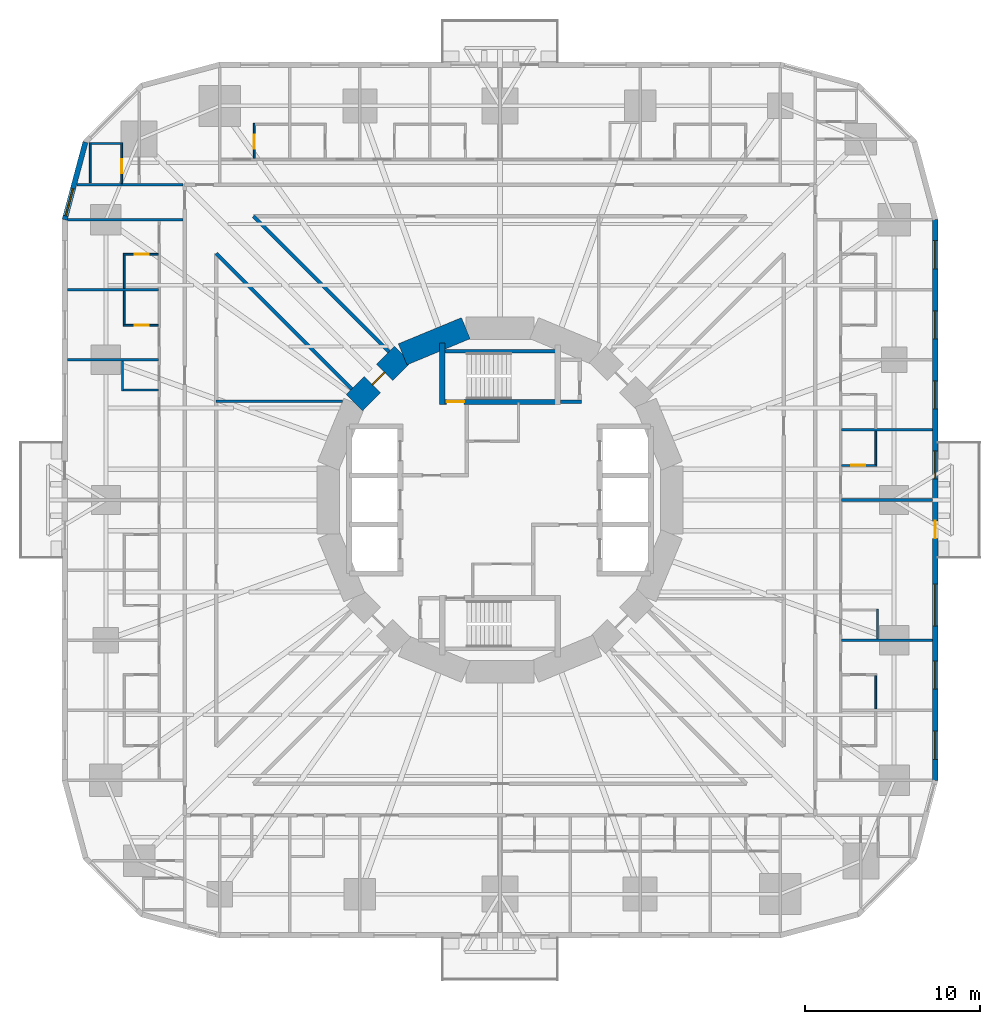
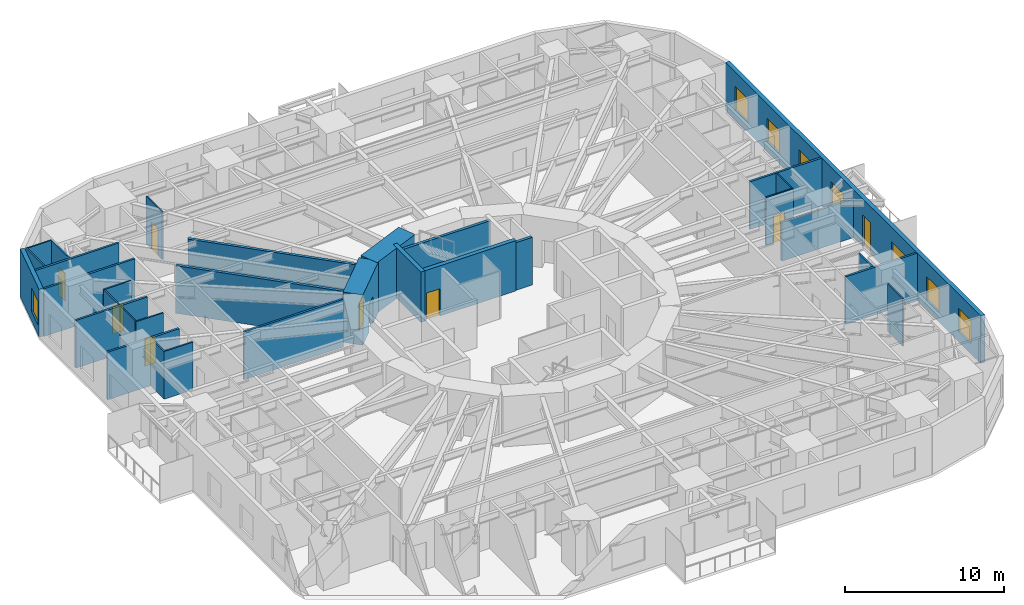
# One storey, part 9 of 14: 32 walls, 8 doors, 8 windows, 16 openings.
"""IFC4 building model written with IfcOpenShell, lengths in metres."""

from ifc_helpers import new_model, si_unit, direction, frame, frame_2d, origin, place, context, subcontext, project, spatial, rectangle, extrude, material, layer, layer_set, type_object, element, fill, save


model = new_model("IFC4")

# Units and contexts
model_context = context("Model", 3, precision=1e-05, world=origin(), true_north=direction((0.0, 1.0)))
body_context = subcontext(model_context, "Body", "Model", "MODEL_VIEW")
ifc_project = project(units=[si_unit("LENGTHUNIT", "METRE"), si_unit("AREAUNIT", "SQUARE_METRE"), si_unit("VOLUMEUNIT", "CUBIC_METRE"), si_unit("PLANEANGLEUNIT", "RADIAN"), si_unit("MASSUNIT", "GRAM", prefix="KILO")], contexts=[model_context])

# Site, building, storey
site_placement = place(None, origin())
site = spatial("IfcSite", under=ifc_project, at=site_placement, CompositionType="ELEMENT")
building_placement = place(site_placement, origin())
building = spatial("IfcBuilding", under=site, at=building_placement, Name="Nakasero Lantern House", CompositionType="ELEMENT")
storey_placement = place(building_placement, frame((0.0, 0.0, 39.10009765625)))
storey = spatial("IfcBuildingStorey", under=building, at=storey_placement, Name="L09", CompositionType="ELEMENT", Elevation=39.10009765625)

# Wall, opening, door
ifc_material_1 = material(Name="Concrete C50/60", Category="concrete")
ifc_layer_1 = layer(ifc_material_1, 0.300048828125)
ifc_layer_set_1 = layer_set([ifc_layer_1], Name="Core inner wall 300")
wall_type_1 = type_object("IfcWallType", Name="Core inner wall 300", PredefinedType="SHEAR", material=ifc_layer_set_1)
wall_1_placement = place(storey_placement, frame((-3.449951171875, 5.60009765625, 0.0), z_axis=(0.0, 0.0, 1.0), x_axis=(1.0, 0.0, 0.0)))
wall_1 = element("IfcWall", 1, at=wall_1_placement, inside=storey, type_object=wall_type_1, Name="Core inner wall L09 SN", PredefinedType="SHEAR", context=body_context, shape_type="SweptSolid", body=[
    extrude(rectangle(XDim=6.89990234375, YDim=0.300048828125, at=frame_2d((3.449951171875, 0.0))), origin(), (0.0, 0.0, 1.0), 3.849853515625),
])
opening_1_placement = place(wall_1_placement, frame((0.39990234375, 0.0, 0.0)))
opening_1 = element("IfcOpeningElement", 2, at=opening_1_placement, cuts=wall_1, Name="Opening D05", PredefinedType="OPENING", context=body_context, shape_type="SweptSolid", body=[
    extrude(rectangle(XDim=1.0, YDim=2.10009765625, at=frame_2d((0.5, 1.050048828125))), frame((0.0, 0.169921875, 0.0), z_axis=(0.0, -1.0, 0.0), x_axis=(1.0, 0.0, 0.0)), (0.0, 0.0, 1.0), 0.340087890625),
])
ifc_material_2 = material(Name="Timber C24", Category="wood")
door_type_1 = type_object("IfcDoorType", Name="Core door FD60S 1000", OperationType="SINGLE_SWING_LEFT", PredefinedType="DOOR", material=ifc_material_2)
door_1_placement = place(opening_1_placement, origin())
door_1 = element("IfcDoor", 3, at=door_1_placement, inside=storey, type_object=door_type_1, Name="Door L09 D-ST1", OperationType="SINGLE_SWING_LEFT", OverallHeight=2.10009765625, OverallWidth=1.0, PredefinedType="DOOR", context=body_context, shape_type="SweptSolid", body=[
    extrude(rectangle(XDim=1.0, YDim=2.10009765625, at=frame_2d((0.5, 1.050048828125))), frame((0.0, 0.02490234375, 0.0), z_axis=(0.0, -1.0, 0.0), x_axis=(1.0, 0.0, 0.0)), (0.0, 0.0, 1.0), 0.050048828125),
])
fill(opening_1, door_1)

# Walls
wall_2_placement = place(storey_placement, frame((-3.300048828125, 5.449951171875, 0.0), z_axis=(0.0, 0.0, 1.0), x_axis=(0.0, 1.0, 0.0)))
element("IfcWall", 4, at=wall_2_placement, inside=storey, type_object=wall_type_1, Name="Core inner wall L09 SNW", PredefinedType="SHEAR", context=body_context, shape_type="SweptSolid", body=[
    extrude(rectangle(XDim=3.5, YDim=0.300048828125, at=frame_2d((1.75, 0.0))), origin(), (0.0, 0.0, 1.0), 3.849853515625),
])
ifc_material_3 = material(Name="Concrete C50/60", Category="concrete")
ifc_layer_2 = layer(ifc_material_3, 1.300048828125)
ifc_layer_set_2 = layer_set([ifc_layer_2], Name="Core wall 1300")
wall_type_2 = type_object("IfcWallType", Name="Core wall 1300", PredefinedType="SHEAR", material=ifc_layer_set_2)
wall_3_placement = place(storey_placement, frame((-1.950927734375, 9.807861328125, 0.0), z_axis=(0.0, 0.0, 1.0), x_axis=(-0.923876507187, -0.382690736062, 0.0)))
element("IfcWall", 5, at=wall_3_placement, inside=storey, type_object=wall_type_2, Name="Core wall L09 facet 5", PredefinedType="SHEAR", context=body_context, shape_type="SweptSolid", body=[
    extrude(rectangle(XDim=3.90185546875, YDim=1.300048828125, at=frame_2d((1.950927734375, 0.0))), origin(), (0.0, 0.0, 1.0), 3.849853515625),
])

# Wall, opening, door
wall_4_placement = place(storey_placement, frame((-5.5556640625, 8.314697265625, 0.0), z_axis=(0.0, 0.0, 1.0), x_axis=(-0.707106781187, -0.707106781187, 0.0)))
wall_4 = element("IfcWall", 6, at=wall_4_placement, inside=storey, type_object=wall_type_2, Name="Core wall L09 facet 6", PredefinedType="SHEAR", context=body_context, shape_type="SweptSolid", body=[
    extrude(rectangle(XDim=3.90185546875, YDim=1.300048828125, at=frame_2d((1.950927734375, 0.0))), origin(), (0.0, 0.0, 1.0), 3.849853515625),
])
opening_2_placement = place(wall_4_placement, frame((1.450927734375, 0.0, 0.0)))
opening_2 = element("IfcOpeningElement", 7, at=opening_2_placement, cuts=wall_4, Name="Opening D05", PredefinedType="OPENING", context=body_context, shape_type="SweptSolid", body=[
    extrude(rectangle(XDim=1.0, YDim=2.10009765625, at=frame_2d((0.5, 1.050048828125))), frame((0.0, 0.669921875, 0.0), z_axis=(0.0, -1.0, 0.0), x_axis=(1.0, 0.0, 0.0)), (0.0, 0.0, 1.0), 1.340087890625),
])
door_2_placement = place(opening_2_placement, origin())
door_2 = element("IfcDoor", 8, at=door_2_placement, inside=storey, type_object=door_type_1, Name="Door L09 D-CORE06", OperationType="SINGLE_SWING_LEFT", OverallHeight=2.10009765625, OverallWidth=1.0, PredefinedType="DOOR", context=body_context, shape_type="SweptSolid", body=[
    extrude(rectangle(XDim=1.0, YDim=2.10009765625, at=frame_2d((0.5, 1.050048828125))), frame((0.0, 0.02490234375, 0.0), z_axis=(0.0, -1.0, 0.0), x_axis=(1.0, 0.0, 0.0)), (0.0, 0.0, 1.0), 0.050048828125),
])
fill(opening_2, door_2)

# Walls
ifc_material_4 = material(Name="Blockwork", Category="masonry")
ifc_layer_3 = layer(ifc_material_4, 0.199951171875)
ifc_layer_set_3 = layer_set([ifc_layer_3], Name="Corridor wall 200")
wall_type_3 = type_object("IfcWallType", Name="Corridor wall 200", PredefinedType="PARTITIONING", material=ifc_layer_set_3)
for number, where, z_axis, x_axis, name in (
    (9, (-8.45556640625, 6.334228515625, 0.0), (0.0, 0.0, 1.0), (-0.707106781187, 0.707106781187, 0.0), "Corridor wall L09 PS06a"),
    (10, (-6.334228515625, 8.45556640625, 0.0), (0.0, 0.0, 1.0), (-0.707106781187, 0.707106781187, 0.0), "Corridor wall L09 PS06b"),
):
    element("IfcWall", number, at=place(storey_placement, frame(where, z_axis=z_axis, x_axis=x_axis)), inside=storey, type_object=wall_type_3, Name=name, PredefinedType="PARTITIONING", context=body_context, shape_type="SweptSolid", body=[
        extrude(rectangle(XDim=10.9521484375, YDim=0.199951171875, at=frame_2d((5.47607421875, 0.0))), origin(), (0.0, 0.0, 1.0), 3.64990234375),
    ])
ifc_material_5 = material(Name="Blockwork", Category="masonry")
ifc_layer_4 = layer(ifc_material_5, 0.10009765625)
ifc_layer_set_4 = layer_set([ifc_layer_4], Name="En-suite wall 100")
wall_type_4 = type_object("IfcWallType", Name="En-suite wall 100", PredefinedType="PARTITIONING", material=ifc_layer_set_4)
wall_5_placement = place(storey_placement, frame((21.550048828125, -7.925048828125, 0.0), z_axis=(0.0, 0.0, 1.0), x_axis=(0.0, 1.0, 0.0)))
element("IfcWall", 11, at=wall_5_placement, inside=storey, type_object=wall_type_4, Name="En-suite wall L09 SE0-0", PredefinedType="PARTITIONING", context=body_context, shape_type="SweptSolid", body=[
    extrude(rectangle(XDim=1.699951171875, YDim=0.10009765625, at=frame_2d((0.85009765625, 0.0))), origin(), (0.0, 0.0, 1.0), 3.64990234375),
])
wall_6_placement = place(storey_placement, frame((21.449951171875, -11.925048828125, 0.0), z_axis=(0.0, 0.0, 1.0), x_axis=(0.0, 1.0, 0.0)))
element("IfcWall", 12, at=wall_6_placement, inside=storey, type_object=wall_type_4, Name="En-suite wall L09 EE0-02", PredefinedType="PARTITIONING", context=body_context, shape_type="SweptSolid", body=[
    extrude(rectangle(XDim=1.900146484375, YDim=0.10009765625, at=frame_2d((0.9501953125, 0.0))), origin(), (0.0, 0.0, 1.0), 3.64990234375),
])

# Wall, opening, door
wall_7_placement = place(storey_placement, frame((19.5, 1.97509765625, 0.0), z_axis=(0.0, 0.0, 1.0), x_axis=(1.0, 0.0, 0.0)))
wall_7 = element("IfcWall", 13, at=wall_7_placement, inside=storey, type_object=wall_type_4, Name="En-suite wall L09 ES0-05", PredefinedType="PARTITIONING", context=body_context, shape_type="SweptSolid", body=[
    extrude(rectangle(XDim=2.0, YDim=0.10009765625, at=frame_2d((1.0, 0.0))), origin(), (0.0, 0.0, 1.0), 3.64990234375),
])
opening_3_placement = place(wall_7_placement, frame((0.550048828125, 0.0, 0.0)))
opening_3 = element("IfcOpeningElement", 14, at=opening_3_placement, cuts=wall_7, Name="Opening D02", PredefinedType="OPENING", context=body_context, shape_type="SweptSolid", body=[
    extrude(rectangle(XDim=0.800048828125, YDim=2.10009765625, at=frame_2d((0.39990234375, 1.050048828125))), frame((0.0, 0.070068359375, 0.0), z_axis=(0.0, -1.0, 0.0), x_axis=(1.0, 0.0, 0.0)), (0.0, 0.0, 1.0), 0.14013671875),
])
ifc_material_6 = material(Name="Timber C24", Category="wood")
door_type_2 = type_object("IfcDoorType", Name="En-suite door 800", OperationType="SINGLE_SWING_RIGHT", PredefinedType="DOOR", material=ifc_material_6)
door_3_placement = place(opening_3_placement, origin())
door_3 = element("IfcDoor", 15, at=door_3_placement, inside=storey, type_object=door_type_2, Name="Door L09 DE0-05", OperationType="SINGLE_SWING_LEFT", OverallHeight=2.10009765625, OverallWidth=0.800048828125, PredefinedType="DOOR", context=body_context, shape_type="SweptSolid", body=[
    extrude(rectangle(XDim=0.800048828125, YDim=2.10009765625, at=frame_2d((0.39990234375, 1.050048828125))), frame((0.0, 0.02490234375, 0.0), z_axis=(0.0, -1.0, 0.0), x_axis=(1.0, 0.0, 0.0)), (0.0, 0.0, 1.0), 0.050048828125),
])
fill(opening_3, door_3)

# Wall
wall_8_placement = place(storey_placement, frame((21.449951171875, 2.02490234375, 0.0), z_axis=(0.0, 0.0, 1.0), x_axis=(0.0, 1.0, 0.0)))
element("IfcWall", 16, at=wall_8_placement, inside=storey, type_object=wall_type_4, Name="En-suite wall L09 EE0-05", PredefinedType="PARTITIONING", context=body_context, shape_type="SweptSolid", body=[
    extrude(rectangle(XDim=1.900146484375, YDim=0.10009765625, at=frame_2d((0.9501953125, 0.0))), origin(), (0.0, 0.0, 1.0), 3.64990234375),
])

# Wall, opening, door
wall_9_placement = place(storey_placement, frame((-14.02490234375, 19.5, 0.0), z_axis=(0.0, 0.0, 1.0), x_axis=(0.0, 1.0, 0.0)))
wall_9 = element("IfcWall", 17, at=wall_9_placement, inside=storey, type_object=wall_type_4, Name="En-suite wall L09 ES1-08", PredefinedType="PARTITIONING", context=body_context, shape_type="SweptSolid", body=[
    extrude(rectangle(XDim=2.0, YDim=0.10009765625, at=frame_2d((1.0, 0.0))), origin(), (0.0, 0.0, 1.0), 3.64990234375),
])
opening_4_placement = place(wall_9_placement, frame((0.550048828125, 0.0, 0.0)))
opening_4 = element("IfcOpeningElement", 18, at=opening_4_placement, cuts=wall_9, Name="Opening D02", PredefinedType="OPENING", context=body_context, shape_type="SweptSolid", body=[
    extrude(rectangle(XDim=0.800048828125, YDim=2.10009765625, at=frame_2d((0.39990234375, 1.050048828125))), frame((0.0, 0.070068359375, 0.0), z_axis=(0.0, -1.0, 0.0), x_axis=(1.0, 0.0, 0.0)), (0.0, 0.0, 1.0), 0.14013671875),
])
door_4_placement = place(opening_4_placement, origin())
door_4 = element("IfcDoor", 19, at=door_4_placement, inside=storey, type_object=door_type_2, Name="Door L09 DE1-08", OperationType="SINGLE_SWING_LEFT", OverallHeight=2.10009765625, OverallWidth=0.800048828125, PredefinedType="DOOR", context=body_context, shape_type="SweptSolid", body=[
    extrude(rectangle(XDim=0.800048828125, YDim=2.10009765625, at=frame_2d((0.39990234375, 1.050048828125))), frame((0.0, 0.02490234375, 0.0), z_axis=(0.0, -1.0, 0.0), x_axis=(1.0, 0.0, 0.0)), (0.0, 0.0, 1.0), 0.050048828125),
])
fill(opening_4, door_4)

wall_10_placement = place(storey_placement, frame((-21.59619140625, 18.06494140625, 0.0), z_axis=(0.0, 0.0, 1.0), x_axis=(0.0, 1.0, 0.0)))
wall_10 = element("IfcWall", 20, at=wall_10_placement, inside=storey, type_object=wall_type_4, Name="En-suite wall L09 ES1-09", PredefinedType="PARTITIONING", context=body_context, shape_type="SweptSolid", body=[
    extrude(rectangle(XDim=2.3349609375, YDim=0.10009765625, at=frame_2d((1.16748046875, 0.0))), origin(), (0.0, 0.0, 1.0), 3.64990234375),
])
opening_5_placement = place(wall_10_placement, frame((0.5849609375, 0.0, 0.0)))
opening_5 = element("IfcOpeningElement", 21, at=opening_5_placement, cuts=wall_10, Name="Opening D02", PredefinedType="OPENING", context=body_context, shape_type="SweptSolid", body=[
    extrude(rectangle(XDim=0.800048828125, YDim=2.10009765625, at=frame_2d((0.39990234375, 1.050048828125))), frame((0.0, 0.070068359375, 0.0), z_axis=(0.0, -1.0, 0.0), x_axis=(1.0, 0.0, 0.0)), (0.0, 0.0, 1.0), 0.14013671875),
])
door_5_placement = place(opening_5_placement, origin())
door_5 = element("IfcDoor", 22, at=door_5_placement, inside=storey, type_object=door_type_2, Name="Door L09 DE1-09", OperationType="SINGLE_SWING_LEFT", OverallHeight=2.10009765625, OverallWidth=0.800048828125, PredefinedType="DOOR", context=body_context, shape_type="SweptSolid", body=[
    extrude(rectangle(XDim=0.800048828125, YDim=2.10009765625, at=frame_2d((0.39990234375, 1.050048828125))), frame((0.0, 0.02490234375, 0.0), z_axis=(0.0, -1.0, 0.0), x_axis=(1.0, 0.0, 0.0)), (0.0, 0.0, 1.0), 0.050048828125),
])
fill(opening_5, door_5)

# Walls
wall_11_placement = place(storey_placement, frame((-21.646240234375, 20.35009765625, 0.0), z_axis=(0.0, 0.0, 1.0), x_axis=(-1.0, 0.0, 0.0)))
element("IfcWall", 23, at=wall_11_placement, inside=storey, type_object=wall_type_4, Name="En-suite wall L09 EE1-09", PredefinedType="PARTITIONING", context=body_context, shape_type="SweptSolid", body=[
    extrude(rectangle(XDim=1.699951171875, YDim=0.10009765625, at=frame_2d((0.85009765625, 0.0))), origin(), (0.0, 0.0, 1.0), 3.64990234375),
])
wall_12_placement = place(storey_placement, frame((-23.396240234375, 18.10009765625, 0.0), z_axis=(0.0, 0.0, 1.0), x_axis=(0.0, 1.0, 0.0)))
element("IfcWall", 24, at=wall_12_placement, inside=storey, type_object=wall_type_4, Name="En-suite wall L09 EV1-09", PredefinedType="PARTITIONING", context=body_context, shape_type="SweptSolid", body=[
    extrude(rectangle(XDim=2.2998046875, YDim=0.10009765625, at=frame_2d((1.14990234375, 0.0))), origin(), (0.0, 0.0, 1.0), 3.64990234375),
])
wall_13_placement = place(storey_placement, frame((-19.5, 6.27490234375, 0.0), z_axis=(0.0, 0.0, 1.0), x_axis=(-1.0, 0.0, 0.0)))
element("IfcWall", 25, at=wall_13_placement, inside=storey, type_object=wall_type_4, Name="En-suite wall L09 SS2-0", PredefinedType="PARTITIONING", context=body_context, shape_type="SweptSolid", body=[
    extrude(rectangle(XDim=2.10009765625, YDim=0.10009765625, at=frame_2d((1.050048828125, 0.0))), origin(), (0.0, 0.0, 1.0), 3.64990234375),
])
wall_14_placement = place(storey_placement, frame((-21.550048828125, 7.925048828125, 0.0), z_axis=(0.0, 0.0, 1.0), x_axis=(0.0, -1.0, 0.0)))
element("IfcWall", 26, at=wall_14_placement, inside=storey, type_object=wall_type_4, Name="En-suite wall L09 SE2-0", PredefinedType="PARTITIONING", context=body_context, shape_type="SweptSolid", body=[
    extrude(rectangle(XDim=1.699951171875, YDim=0.10009765625, at=frame_2d((0.85009765625, 0.0))), origin(), (0.0, 0.0, 1.0), 3.64990234375),
])

# Wall, opening, door
wall_15_placement = place(storey_placement, frame((-19.5, 14.02490234375, 0.0), z_axis=(0.0, 0.0, 1.0), x_axis=(-1.0, 0.0, 0.0)))
wall_15 = element("IfcWall", 27, at=wall_15_placement, inside=storey, type_object=wall_type_4, Name="En-suite wall L09 ES2-01", PredefinedType="PARTITIONING", context=body_context, shape_type="SweptSolid", body=[
    extrude(rectangle(XDim=2.0, YDim=0.10009765625, at=frame_2d((1.0, 0.0))), origin(), (0.0, 0.0, 1.0), 3.64990234375),
])
opening_6_placement = place(wall_15_placement, frame((0.550048828125, 0.0, 0.0)))
opening_6 = element("IfcOpeningElement", 28, at=opening_6_placement, cuts=wall_15, Name="Opening D02", PredefinedType="OPENING", context=body_context, shape_type="SweptSolid", body=[
    extrude(rectangle(XDim=0.800048828125, YDim=2.10009765625, at=frame_2d((0.39990234375, 1.050048828125))), frame((0.0, 0.070068359375, 0.0), z_axis=(0.0, -1.0, 0.0), x_axis=(1.0, 0.0, 0.0)), (0.0, 0.0, 1.0), 0.14013671875),
])
door_6_placement = place(opening_6_placement, origin())
door_6 = element("IfcDoor", 29, at=door_6_placement, inside=storey, type_object=door_type_2, Name="Door L09 DE2-01", OperationType="SINGLE_SWING_LEFT", OverallHeight=2.10009765625, OverallWidth=0.800048828125, PredefinedType="DOOR", context=body_context, shape_type="SweptSolid", body=[
    extrude(rectangle(XDim=0.800048828125, YDim=2.10009765625, at=frame_2d((0.39990234375, 1.050048828125))), frame((0.0, 0.02490234375, 0.0), z_axis=(0.0, -1.0, 0.0), x_axis=(1.0, 0.0, 0.0)), (0.0, 0.0, 1.0), 0.050048828125),
])
fill(opening_6, door_6)

# Wall
wall_16_placement = place(storey_placement, frame((-21.449951171875, 13.97509765625, 0.0), z_axis=(0.0, 0.0, 1.0), x_axis=(0.0, -1.0, 0.0)))
element("IfcWall", 30, at=wall_16_placement, inside=storey, type_object=wall_type_4, Name="En-suite wall L09 EE2-01", PredefinedType="PARTITIONING", context=body_context, shape_type="SweptSolid", body=[
    extrude(rectangle(XDim=1.900146484375, YDim=0.10009765625, at=frame_2d((0.9501953125, 0.0))), origin(), (0.0, 0.0, 1.0), 3.64990234375),
])

# Wall, opening, door
wall_17_placement = place(storey_placement, frame((-19.5, 9.97509765625, 0.0), z_axis=(0.0, 0.0, 1.0), x_axis=(-1.0, 0.0, 0.0)))
wall_17 = element("IfcWall", 31, at=wall_17_placement, inside=storey, type_object=wall_type_4, Name="En-suite wall L09 ES2-02", PredefinedType="PARTITIONING", context=body_context, shape_type="SweptSolid", body=[
    extrude(rectangle(XDim=2.0, YDim=0.10009765625, at=frame_2d((1.0, 0.0))), origin(), (0.0, 0.0, 1.0), 3.64990234375),
])
opening_7_placement = place(wall_17_placement, frame((0.550048828125, 0.0, 0.0)))
opening_7 = element("IfcOpeningElement", 32, at=opening_7_placement, cuts=wall_17, Name="Opening D02", PredefinedType="OPENING", context=body_context, shape_type="SweptSolid", body=[
    extrude(rectangle(XDim=0.800048828125, YDim=2.10009765625, at=frame_2d((0.39990234375, 1.050048828125))), frame((0.0, 0.070068359375, 0.0), z_axis=(0.0, -1.0, 0.0), x_axis=(1.0, 0.0, 0.0)), (0.0, 0.0, 1.0), 0.14013671875),
])
door_7_placement = place(opening_7_placement, origin())
door_7 = element("IfcDoor", 33, at=door_7_placement, inside=storey, type_object=door_type_2, Name="Door L09 DE2-02", OperationType="SINGLE_SWING_LEFT", OverallHeight=2.10009765625, OverallWidth=0.800048828125, PredefinedType="DOOR", context=body_context, shape_type="SweptSolid", body=[
    extrude(rectangle(XDim=0.800048828125, YDim=2.10009765625, at=frame_2d((0.39990234375, 1.050048828125))), frame((0.0, 0.02490234375, 0.0), z_axis=(0.0, -1.0, 0.0), x_axis=(1.0, 0.0, 0.0)), (0.0, 0.0, 1.0), 0.050048828125),
])
fill(opening_7, door_7)

# Wall
wall_18_placement = place(storey_placement, frame((-21.449951171875, 11.925048828125, 0.0), z_axis=(0.0, 0.0, 1.0), x_axis=(0.0, -1.0, 0.0)))
element("IfcWall", 34, at=wall_18_placement, inside=storey, type_object=wall_type_4, Name="En-suite wall L09 EE2-02", PredefinedType="PARTITIONING", context=body_context, shape_type="SweptSolid", body=[
    extrude(rectangle(XDim=1.900146484375, YDim=0.10009765625, at=frame_2d((0.9501953125, 0.0))), origin(), (0.0, 0.0, 1.0), 3.64990234375),
])

# Wall, openings, door, windows
ifc_material_7 = material(Name="Aluminium rainscreen on blockwork", Category="masonry")
ifc_layer_5 = layer(ifc_material_7, 0.300048828125)
ifc_layer_set_5 = layer_set([ifc_layer_5], Name="Facade wall 300")
wall_type_5 = type_object("IfcWallType", Name="Facade wall 300", PredefinedType="SOLIDWALL", material=ifc_layer_set_5)
wall_19_placement = place(storey_placement, frame((24.85009765625, -16.0, 0.0), z_axis=(0.0, 0.0, 1.0), x_axis=(0.0, 1.0, 0.0)))
wall_19 = element("IfcWall", 35, at=wall_19_placement, inside=storey, type_object=wall_type_5, Name="Facade wall L09 FW0S", PredefinedType="SOLIDWALL", context=body_context, shape_type="SweptSolid", body=[
    extrude(rectangle(XDim=32.0, YDim=0.300048828125, at=frame_2d((16.0, 0.0))), origin(), (0.0, 0.0, 1.0), 3.64990234375),
])
opening_8_placement = place(wall_19_placement, frame((1.199951171875, 0.0, 0.75)))
opening_8 = element("IfcOpeningElement", 36, at=opening_8_placement, cuts=wall_19, Name="Opening W01", PredefinedType="OPENING", context=body_context, shape_type="SweptSolid", body=[
    extrude(rectangle(XDim=1.60009765625, YDim=1.800048828125, at=frame_2d((0.800048828125, 0.89990234375))), frame((0.0, 0.169921875, 0.0), z_axis=(0.0, -1.0, 0.0), x_axis=(1.0, 0.0, 0.0)), (0.0, 0.0, 1.0), 0.340087890625),
])
opening_9_placement = place(wall_19_placement, frame((5.199951171875, 0.0, 0.75)))
opening_9 = element("IfcOpeningElement", 37, at=opening_9_placement, cuts=wall_19, Name="Opening W01", PredefinedType="OPENING", context=body_context, shape_type="SweptSolid", body=[
    extrude(rectangle(XDim=1.60009765625, YDim=1.800048828125, at=frame_2d((0.800048828125, 0.89990234375))), frame((0.0, 0.169921875, 0.0), z_axis=(0.0, -1.0, 0.0), x_axis=(1.0, 0.0, 0.0)), (0.0, 0.0, 1.0), 0.340087890625),
])
opening_10_placement = place(wall_19_placement, frame((17.199951171875, 0.0, 0.75)))
opening_10 = element("IfcOpeningElement", 38, at=opening_10_placement, cuts=wall_19, Name="Opening W01", PredefinedType="OPENING", context=body_context, shape_type="SweptSolid", body=[
    extrude(rectangle(XDim=1.60009765625, YDim=1.800048828125, at=frame_2d((0.800048828125, 0.89990234375))), frame((0.0, 0.169921875, 0.0), z_axis=(0.0, -1.0, 0.0), x_axis=(1.0, 0.0, 0.0)), (0.0, 0.0, 1.0), 0.340087890625),
])
opening_11_placement = place(wall_19_placement, frame((21.199951171875, 0.0, 0.75)))
opening_11 = element("IfcOpeningElement", 39, at=opening_11_placement, cuts=wall_19, Name="Opening W01", PredefinedType="OPENING", context=body_context, shape_type="SweptSolid", body=[
    extrude(rectangle(XDim=1.60009765625, YDim=1.800048828125, at=frame_2d((0.800048828125, 0.89990234375))), frame((0.0, 0.169921875, 0.0), z_axis=(0.0, -1.0, 0.0), x_axis=(1.0, 0.0, 0.0)), (0.0, 0.0, 1.0), 0.340087890625),
])
opening_12_placement = place(wall_19_placement, frame((25.199951171875, 0.0, 0.75)))
opening_12 = element("IfcOpeningElement", 40, at=opening_12_placement, cuts=wall_19, Name="Opening W01", PredefinedType="OPENING", context=body_context, shape_type="SweptSolid", body=[
    extrude(rectangle(XDim=1.60009765625, YDim=1.800048828125, at=frame_2d((0.800048828125, 0.89990234375))), frame((0.0, 0.169921875, 0.0), z_axis=(0.0, -1.0, 0.0), x_axis=(1.0, 0.0, 0.0)), (0.0, 0.0, 1.0), 0.340087890625),
])
opening_13_placement = place(wall_19_placement, frame((29.199951171875, 0.0, 0.75)))
opening_13 = element("IfcOpeningElement", 41, at=opening_13_placement, cuts=wall_19, Name="Opening W01", PredefinedType="OPENING", context=body_context, shape_type="SweptSolid", body=[
    extrude(rectangle(XDim=1.60009765625, YDim=1.800048828125, at=frame_2d((0.800048828125, 0.89990234375))), frame((0.0, 0.169921875, 0.0), z_axis=(0.0, -1.0, 0.0), x_axis=(1.0, 0.0, 0.0)), (0.0, 0.0, 1.0), 0.340087890625),
])
opening_14_placement = place(wall_19_placement, frame((8.800048828125, 0.0, 0.75)))
opening_14 = element("IfcOpeningElement", 42, at=opening_14_placement, cuts=wall_19, Name="Opening W03", PredefinedType="OPENING", context=body_context, shape_type="SweptSolid", body=[
    extrude(rectangle(XDim=2.39990234375, YDim=1.800048828125, at=frame_2d((1.199951171875, 0.89990234375))), frame((0.0, 0.169921875, 0.0), z_axis=(0.0, -1.0, 0.0), x_axis=(1.0, 0.0, 0.0)), (0.0, 0.0, 1.0), 0.340087890625),
])
opening_15_placement = place(wall_19_placement, frame((13.8125, 0.0, 0.0)))
opening_15 = element("IfcOpeningElement", 43, at=opening_15_placement, cuts=wall_19, Name="Opening D04", PredefinedType="OPENING", context=body_context, shape_type="SweptSolid", body=[
    extrude(rectangle(XDim=1.0, YDim=2.39990234375, at=frame_2d((0.5, 1.199951171875))), frame((0.0, 0.169921875, 0.0), z_axis=(0.0, -1.0, 0.0), x_axis=(1.0, 0.0, 0.0)), (0.0, 0.0, 1.0), 0.340087890625),
])
ifc_material_8 = material(Name="Aluminium 6063-T6 and glass", Category="aluminium")
door_type_3 = type_object("IfcDoorType", Name="Balcony door 1000x2400", OperationType="SINGLE_SWING_RIGHT", PredefinedType="DOOR", material=ifc_material_8)
door_8_placement = place(opening_15_placement, origin())
door_8 = element("IfcDoor", 44, at=door_8_placement, inside=storey, type_object=door_type_3, Name="Balcony door L09 DB0", OperationType="SINGLE_SWING_RIGHT", OverallHeight=2.39990234375, OverallWidth=1.0, PredefinedType="DOOR", context=body_context, shape_type="SweptSolid", body=[
    extrude(rectangle(XDim=1.0, YDim=2.39990234375, at=frame_2d((0.5, 1.199951171875))), frame((0.0, 0.02490234375, 0.0), z_axis=(0.0, -1.0, 0.0), x_axis=(1.0, 0.0, 0.0)), (0.0, 0.0, 1.0), 0.050048828125),
])
fill(opening_15, door_8)
ifc_material_9 = material(Name="Aluminium 6063-T6 and glass", Category="aluminium")
window_type_1 = type_object("IfcWindowType", Name="Bedroom window 1600x1800", PartitioningType="SINGLE_PANEL", PredefinedType="WINDOW", material=ifc_material_9)
window_1_placement = place(opening_8_placement, origin())
window_1 = element("IfcWindow", 45, at=window_1_placement, inside=storey, type_object=window_type_1, Name="Window L09 WN0-01", OverallHeight=1.800048828125, OverallWidth=1.60009765625, PartitioningType="SINGLE_PANEL", PredefinedType="WINDOW", context=body_context, shape_type="SweptSolid", body=[
    extrude(rectangle(XDim=1.60009765625, YDim=1.800048828125, at=frame_2d((0.800048828125, 0.89990234375))), frame((0.0, 0.030029296875, 0.0), z_axis=(0.0, -1.0, 0.0), x_axis=(1.0, 0.0, 0.0)), (0.0, 0.0, 1.0), 0.06005859375),
])
fill(opening_8, window_1)
window_2_placement = place(opening_9_placement, origin())
window_2 = element("IfcWindow", 46, at=window_2_placement, inside=storey, type_object=window_type_1, Name="Window L09 WN0-02", OverallHeight=1.800048828125, OverallWidth=1.60009765625, PartitioningType="SINGLE_PANEL", PredefinedType="WINDOW", context=body_context, shape_type="SweptSolid", body=[
    extrude(rectangle(XDim=1.60009765625, YDim=1.800048828125, at=frame_2d((0.800048828125, 0.89990234375))), frame((0.0, 0.030029296875, 0.0), z_axis=(0.0, -1.0, 0.0), x_axis=(1.0, 0.0, 0.0)), (0.0, 0.0, 1.0), 0.06005859375),
])
fill(opening_9, window_2)
window_3_placement = place(opening_10_placement, origin())
window_3 = element("IfcWindow", 47, at=window_3_placement, inside=storey, type_object=window_type_1, Name="Window L09 WN0-05", OverallHeight=1.800048828125, OverallWidth=1.60009765625, PartitioningType="SINGLE_PANEL", PredefinedType="WINDOW", context=body_context, shape_type="SweptSolid", body=[
    extrude(rectangle(XDim=1.60009765625, YDim=1.800048828125, at=frame_2d((0.800048828125, 0.89990234375))), frame((0.0, 0.030029296875, 0.0), z_axis=(0.0, -1.0, 0.0), x_axis=(1.0, 0.0, 0.0)), (0.0, 0.0, 1.0), 0.06005859375),
])
fill(opening_10, window_3)
window_4_placement = place(opening_11_placement, origin())
window_4 = element("IfcWindow", 48, at=window_4_placement, inside=storey, type_object=window_type_1, Name="Window L09 WN0-06", OverallHeight=1.800048828125, OverallWidth=1.60009765625, PartitioningType="SINGLE_PANEL", PredefinedType="WINDOW", context=body_context, shape_type="SweptSolid", body=[
    extrude(rectangle(XDim=1.60009765625, YDim=1.800048828125, at=frame_2d((0.800048828125, 0.89990234375))), frame((0.0, 0.030029296875, 0.0), z_axis=(0.0, -1.0, 0.0), x_axis=(1.0, 0.0, 0.0)), (0.0, 0.0, 1.0), 0.06005859375),
])
fill(opening_11, window_4)
window_5_placement = place(opening_12_placement, origin())
window_5 = element("IfcWindow", 49, at=window_5_placement, inside=storey, type_object=window_type_1, Name="Window L09 WN0-07", OverallHeight=1.800048828125, OverallWidth=1.60009765625, PartitioningType="SINGLE_PANEL", PredefinedType="WINDOW", context=body_context, shape_type="SweptSolid", body=[
    extrude(rectangle(XDim=1.60009765625, YDim=1.800048828125, at=frame_2d((0.800048828125, 0.89990234375))), frame((0.0, 0.030029296875, 0.0), z_axis=(0.0, -1.0, 0.0), x_axis=(1.0, 0.0, 0.0)), (0.0, 0.0, 1.0), 0.06005859375),
])
fill(opening_12, window_5)
window_6_placement = place(opening_13_placement, origin())
window_6 = element("IfcWindow", 50, at=window_6_placement, inside=storey, type_object=window_type_1, Name="Window L09 WN0-08", OverallHeight=1.800048828125, OverallWidth=1.60009765625, PartitioningType="SINGLE_PANEL", PredefinedType="WINDOW", context=body_context, shape_type="SweptSolid", body=[
    extrude(rectangle(XDim=1.60009765625, YDim=1.800048828125, at=frame_2d((0.800048828125, 0.89990234375))), frame((0.0, 0.030029296875, 0.0), z_axis=(0.0, -1.0, 0.0), x_axis=(1.0, 0.0, 0.0)), (0.0, 0.0, 1.0), 0.06005859375),
])
fill(opening_13, window_6)
ifc_material_10 = material(Name="Aluminium 6063-T6 and glass", Category="aluminium")
window_type_2 = type_object("IfcWindowType", Name="Lounge window 2400x1800", PartitioningType="SINGLE_PANEL", PredefinedType="WINDOW", material=ifc_material_10)
window_7_placement = place(opening_14_placement, origin())
window_7 = element("IfcWindow", 51, at=window_7_placement, inside=storey, type_object=window_type_2, Name="Window L09 WK0", OverallHeight=1.800048828125, OverallWidth=2.39990234375, PartitioningType="SINGLE_PANEL", PredefinedType="WINDOW", context=body_context, shape_type="SweptSolid", body=[
    extrude(rectangle(XDim=2.39990234375, YDim=1.800048828125, at=frame_2d((1.199951171875, 0.89990234375))), frame((0.0, 0.030029296875, 0.0), z_axis=(0.0, -1.0, 0.0), x_axis=(1.0, 0.0, 0.0)), (0.0, 0.0, 1.0), 0.06005859375),
])
fill(opening_14, window_7)

# Wall, opening, window
wall_20_placement = place(storey_placement, frame((-23.664306640625, 20.425048828125, 0.0), z_axis=(0.0, 0.0, 1.0), x_axis=(-0.258839972501, -0.965920218567, 0.0)))
wall_20 = element("IfcWall", 52, at=wall_20_placement, inside=storey, type_object=wall_type_5, Name="Facade wall L09 FW1C3", PredefinedType="SOLIDWALL", context=body_context, shape_type="SweptSolid", body=[
    extrude(rectangle(XDim=4.5810546875, YDim=0.300048828125, at=frame_2d((2.29052734375, 0.0))), origin(), (0.0, 0.0, 1.0), 3.64990234375),
])
opening_16_placement = place(wall_20_placement, frame((2.74609375, 0.0, 0.75)))
opening_16 = element("IfcOpeningElement", 53, at=opening_16_placement, cuts=wall_20, Name="Opening W01", PredefinedType="OPENING", context=body_context, shape_type="SweptSolid", body=[
    extrude(rectangle(XDim=1.60009765625, YDim=1.800048828125, at=frame_2d((0.800048828125, 0.89990234375))), frame((0.0, 0.169921875, 0.0), z_axis=(0.0, -1.0, 0.0), x_axis=(1.0, 0.0, 0.0)), (0.0, 0.0, 1.0), 0.340087890625),
])
window_8_placement = place(opening_16_placement, origin())
window_8 = element("IfcWindow", 54, at=window_8_placement, inside=storey, type_object=window_type_1, Name="Window L09 WN2-00", OverallHeight=1.800048828125, OverallWidth=1.60009765625, PartitioningType="SINGLE_PANEL", PredefinedType="WINDOW", context=body_context, shape_type="SweptSolid", body=[
    extrude(rectangle(XDim=1.60009765625, YDim=1.800048828125, at=frame_2d((0.800048828125, 0.89990234375))), frame((0.0, 0.030029296875, 0.0), z_axis=(0.0, -1.0, 0.0), x_axis=(1.0, 0.0, 0.0)), (0.0, 0.0, 1.0), 0.06005859375),
])
fill(opening_16, window_8)

# Walls
ifc_material_11 = material(Name="Blockwork", Category="masonry")
ifc_layer_6 = layer(ifc_material_11, 0.199951171875)
ifc_layer_set_6 = layer_set([ifc_layer_6], Name="Fire lobby wall 200")
wall_type_6 = type_object("IfcWallType", Name="Fire lobby wall 200", PredefinedType="PARTITIONING", material=ifc_layer_set_6)
wall_21_placement = place(storey_placement, frame((3.449951171875, 5.60009765625, 0.0), z_axis=(0.0, 0.0, 1.0), x_axis=(1.0, 0.0, 0.0)))
element("IfcWall", 55, at=wall_21_placement, inside=storey, type_object=wall_type_6, Name="Fire lobby wall L09 W-RS1S", PredefinedType="PARTITIONING", context=body_context, shape_type="SweptSolid", body=[
    extrude(rectangle(XDim=1.199951171875, YDim=0.199951171875, at=frame_2d((0.60009765625, 0.0))), origin(), (0.0, 0.0, 1.0), 3.64990234375),
])
wall_22_placement = place(storey_placement, frame((-3.300048828125, 8.5, 0.0), z_axis=(0.0, 0.0, 1.0), x_axis=(1.0, 0.0, 0.0)))
element("IfcWall", 56, at=wall_22_placement, inside=storey, type_object=wall_type_6, Name="Fire lobby wall L09 W-STN", PredefinedType="PARTITIONING", context=body_context, shape_type="SweptSolid", body=[
    extrude(rectangle(XDim=6.60009765625, YDim=0.199951171875, at=frame_2d((3.300048828125, 0.0))), origin(), (0.0, 0.0, 1.0), 3.64990234375),
])
ifc_material_12 = material(Name="Blockwork", Category="masonry")
ifc_layer_7 = layer(ifc_material_12, 0.14990234375)
ifc_layer_set_7 = layer_set([ifc_layer_7], Name="Party wall 150")
wall_type_7 = type_object("IfcWallType", Name="Party wall 150", PredefinedType="PARTITIONING", material=ifc_layer_set_7)
wall_23_placement = place(storey_placement, frame((19.5, -8.0, 0.0), z_axis=(0.0, 0.0, 1.0), x_axis=(1.0, 0.0, 0.0)))
element("IfcWall", 57, at=wall_23_placement, inside=storey, type_object=wall_type_7, Name="Party wall L09 PW0-03", PredefinedType="PARTITIONING", context=body_context, shape_type="SweptSolid", body=[
    extrude(rectangle(XDim=5.199951171875, YDim=0.14990234375, at=frame_2d((2.60009765625, 0.0))), origin(), (0.0, 0.0, 1.0), 3.64990234375),
])
wall_24_placement = place(storey_placement, frame((19.5, 0.0, 0.0), z_axis=(0.0, 0.0, 1.0), x_axis=(1.0, 0.0, 0.0)))
element("IfcWall", 58, at=wall_24_placement, inside=storey, type_object=wall_type_7, Name="Party wall L09 PW0-05", PredefinedType="PARTITIONING", context=body_context, shape_type="SweptSolid", body=[
    extrude(rectangle(XDim=5.199951171875, YDim=0.14990234375, at=frame_2d((2.60009765625, 0.0))), origin(), (0.0, 0.0, 1.0), 2.95703125),
])
wall_25_placement = place(storey_placement, frame((19.5, 4.0, 0.0), z_axis=(0.0, 0.0, 1.0), x_axis=(1.0, 0.0, 0.0)))
element("IfcWall", 59, at=wall_25_placement, inside=storey, type_object=wall_type_7, Name="Party wall L09 PW0-06", PredefinedType="PARTITIONING", context=body_context, shape_type="SweptSolid", body=[
    extrude(rectangle(XDim=5.199951171875, YDim=0.14990234375, at=frame_2d((2.60009765625, 0.0))), origin(), (0.0, 0.0, 1.0), 3.64990234375),
])
wall_26_placement = place(storey_placement, frame((-18.10009765625, 18.0, 0.0), z_axis=(0.0, 0.0, 1.0), x_axis=(-1.0, 0.0, 0.0)))
element("IfcWall", 60, at=wall_26_placement, inside=storey, type_object=wall_type_7, Name="Party wall L09 PW2-00", PredefinedType="PARTITIONING", context=body_context, shape_type="SweptSolid", body=[
    extrude(rectangle(XDim=6.053466796875, YDim=0.14990234375, at=frame_2d((3.02685546875, 0.0))), origin(), (0.0, 0.0, 1.0), 3.64990234375),
])
wall_27_placement = place(storey_placement, frame((-18.10009765625, 16.0, 0.0), z_axis=(0.0, 0.0, 1.0), x_axis=(-1.0, 0.0, 0.0)))
element("IfcWall", 61, at=wall_27_placement, inside=storey, type_object=wall_type_7, Name="Party wall L09 PW2-01", PredefinedType="PARTITIONING", context=body_context, shape_type="SweptSolid", body=[
    extrude(rectangle(XDim=6.58935546875, YDim=0.14990234375, at=frame_2d((3.294677734375, 0.0))), origin(), (0.0, 0.0, 1.0), 3.64990234375),
])
for number, where, z_axis, x_axis, name in (
    (62, (-19.5, 12.0, 0.0), (0.0, 0.0, 1.0), (-1.0, 0.0, 0.0), "Party wall L09 PW2-02"),
    (63, (-19.5, 8.0, 0.0), (0.0, 0.0, 1.0), (-1.0, 0.0, 0.0), "Party wall L09 PW2-03"),
):
    element("IfcWall", number, at=place(storey_placement, frame(where, z_axis=z_axis, x_axis=x_axis)), inside=storey, type_object=wall_type_7, Name=name, PredefinedType="PARTITIONING", context=body_context, shape_type="SweptSolid", body=[
        extrude(rectangle(XDim=5.199951171875, YDim=0.14990234375, at=frame_2d((2.60009765625, 0.0))), origin(), (0.0, 0.0, 1.0), 3.64990234375),
    ])
wall_28_placement = place(storey_placement, frame((-8.98681640625, 5.631591796875, 0.0), z_axis=(0.0, 0.0, 1.0), x_axis=(-1.0, 0.0, 0.0)))
element("IfcWall", 64, at=wall_28_placement, inside=storey, type_object=wall_type_7, Name="Party wall L09 IS4", PredefinedType="PARTITIONING", context=body_context, shape_type="SweptSolid", body=[
    extrude(rectangle(XDim=7.213134765625, YDim=0.14990234375, at=frame_2d((3.6064453125, 0.0))), origin(), (0.0, 0.0, 1.0), 3.64990234375),
])

save(model, "model.ifc")
